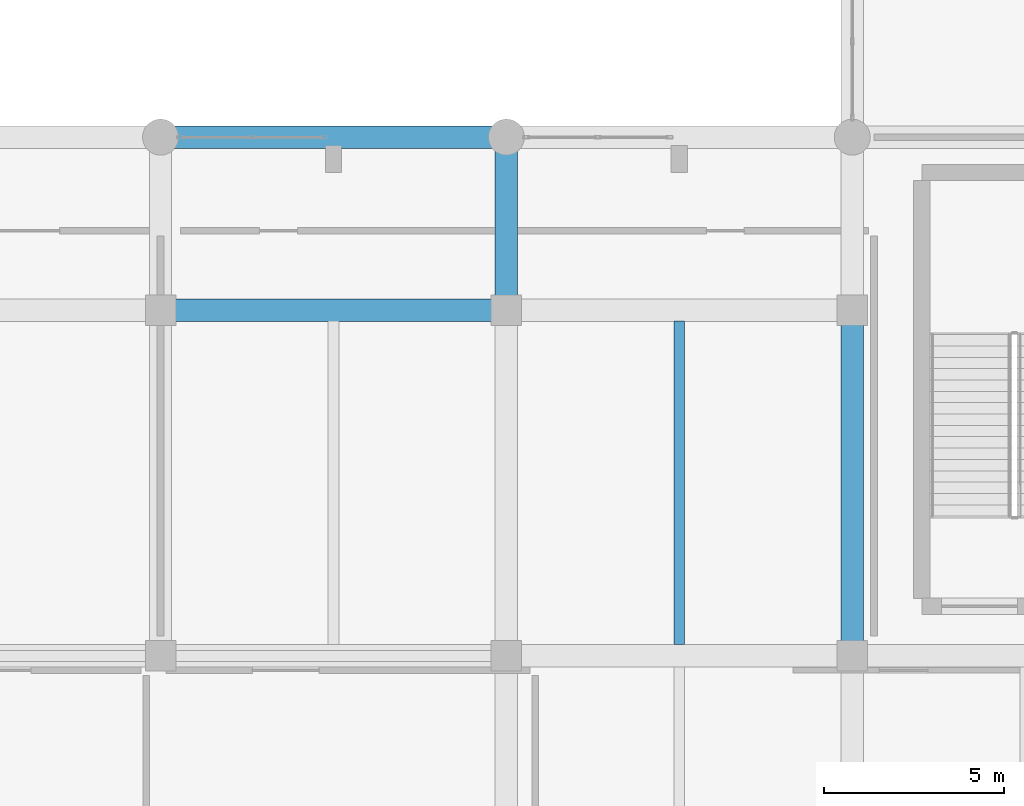
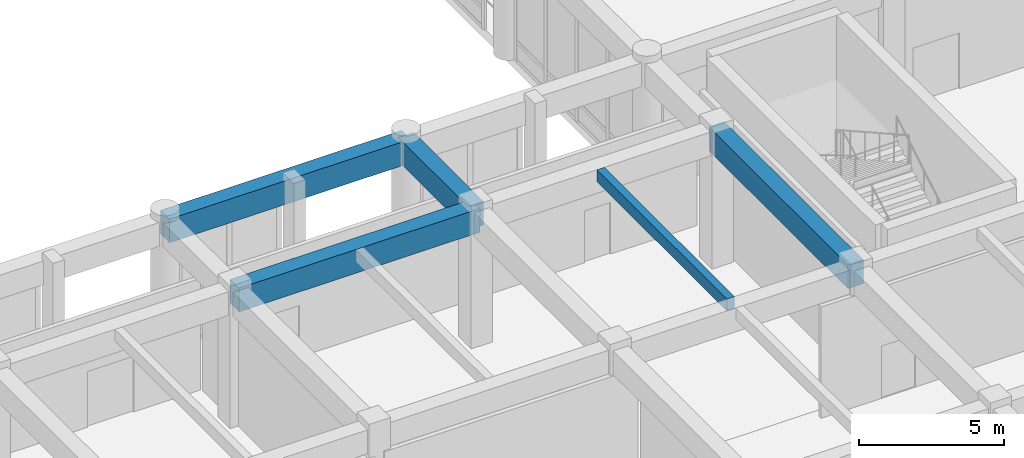
# One storey, part 23 of 87: 5 beams.
"""IFC4 building model written with IfcOpenShell, lengths in metres."""

from ifc_helpers import new_model, si_unit, direction, frame, origin, origin_2d, place, context, subcontext, project, spatial, rectangle, extrude, material, material_profile, profile_set, type_object, element, save


model = new_model("IFC4")

# Units and contexts
model_context = context("Model", 3, precision=1e-05, world=origin(), true_north=direction((0.0, 1.0)))
body_context = subcontext(model_context, "Body", "Model", "MODEL_VIEW")
ifc_project = project(units=[si_unit("LENGTHUNIT", "METRE"), si_unit("AREAUNIT", "SQUARE_METRE"), si_unit("VOLUMEUNIT", "CUBIC_METRE"), si_unit("PLANEANGLEUNIT", "RADIAN"), si_unit("MASSUNIT", "GRAM", prefix="KILO")], contexts=[model_context])

# Site, building, storey
site_placement = place(None, origin())
site = spatial("IfcSite", under=ifc_project, at=site_placement, CompositionType="ELEMENT")
building_placement = place(site_placement, origin())
building = spatial("IfcBuilding", under=site, at=building_placement, Name="Nakhvara Creek Congress Hotel", CompositionType="ELEMENT")
storey_placement = place(building_placement, origin())
storey = spatial("IfcBuildingStorey", under=building, at=storey_placement, Name="L00", CompositionType="ELEMENT", Elevation=0.0)

# Beams
ifc_material_1 = material(Name="Concrete C40/50", Category="concrete")
ifc_material_profile_1 = material_profile(ifc_material_1, rectangle(XDim=0.300048828125, YDim=0.5, at=origin_2d()), Name="RC-BM 300x500", Category="LoadBearing")
ifc_profile_set_1 = profile_set([ifc_material_profile_1], Name="Concrete C40/50")
beam_type_1 = type_object("IfcBeamType", Name="BM-JST-300X500", PredefinedType="JOIST", material=ifc_profile_set_1)
beam_1_placement = place(storey_placement, frame((120.0, 29.110107421875, 5.449951171875), z_axis=(0.0, 1.0, 0.0), x_axis=(-1.0, 0.0, 0.0)))
element("IfcBeam", 1, at=beam_1_placement, inside=storey, type_object=beam_type_1, Name="Secondary Joist BJ1-L00-1050", PredefinedType="JOIST", context=body_context, shape_type="SweptSolid", body=[
    extrude(rectangle(XDim=0.300048828125, YDim=0.5, at=origin_2d()), origin(), (0.0, 0.0, 1.0), 8.97998046875),
])
ifc_material_2 = material(Name="Concrete C50/60", Category="concrete")
ifc_material_profile_2 = material_profile(ifc_material_2, rectangle(XDim=0.6201171875, YDim=1.0, at=origin_2d()), Name="RC-BM 620x1000", Category="LoadBearing")
ifc_profile_set_2 = profile_set([ifc_material_profile_2], Name="Concrete C50/60")
beam_type_2 = type_object("IfcBeamType", Name="BM-RC-620X1000", PredefinedType="BEAM", material=ifc_profile_set_2)
for number, where, z_axis, x_axis, name in (
    (2, (105.60009765625, 38.39990234375, 5.199951171875), (1.0, 0.0, 0.0), (0.0, 1.0, 0.0), "Beam B16-L00-0861"),
    (3, (105.60009765625, 43.199951171875, 5.199951171875), (1.0, 0.0, 0.0), (0.0, 1.0, 0.0), "Beam B16-L00-0862"),
):
    element("IfcBeam", number, at=place(storey_placement, frame(where, z_axis=z_axis, x_axis=x_axis)), inside=storey, type_object=beam_type_2, Name=name, PredefinedType="BEAM", context=body_context, shape_type="SweptSolid", body=[
        extrude(rectangle(XDim=0.6201171875, YDim=1.0, at=origin_2d()), origin(), (0.0, 0.0, 1.0), 9.599853515625),
    ])
beam_2_placement = place(storey_placement, frame((115.199951171875, 38.39990234375, 5.199951171875), z_axis=(0.0, 1.0, 0.0), x_axis=(-1.0, 0.0, 0.0)))
element("IfcBeam", 4, at=beam_2_placement, inside=storey, type_object=beam_type_2, Name="Beam B16-L00-0875", PredefinedType="BEAM", context=body_context, shape_type="SweptSolid", body=[
    extrude(rectangle(XDim=0.6201171875, YDim=1.0, at=origin_2d()), origin(), (0.0, 0.0, 1.0), 4.800048828125),
])
beam_3_placement = place(storey_placement, frame((124.800048828125, 28.800048828125, 5.199951171875), z_axis=(0.0, 1.0, 0.0), x_axis=(-1.0, 0.0, 0.0)))
element("IfcBeam", 5, at=beam_3_placement, inside=storey, type_object=beam_type_2, Name="Beam B16-L00-0888", PredefinedType="BEAM", context=body_context, shape_type="SweptSolid", body=[
    extrude(rectangle(XDim=0.6201171875, YDim=1.0, at=origin_2d()), origin(), (0.0, 0.0, 1.0), 9.599853515625),
])

save(model, "model.ifc")
